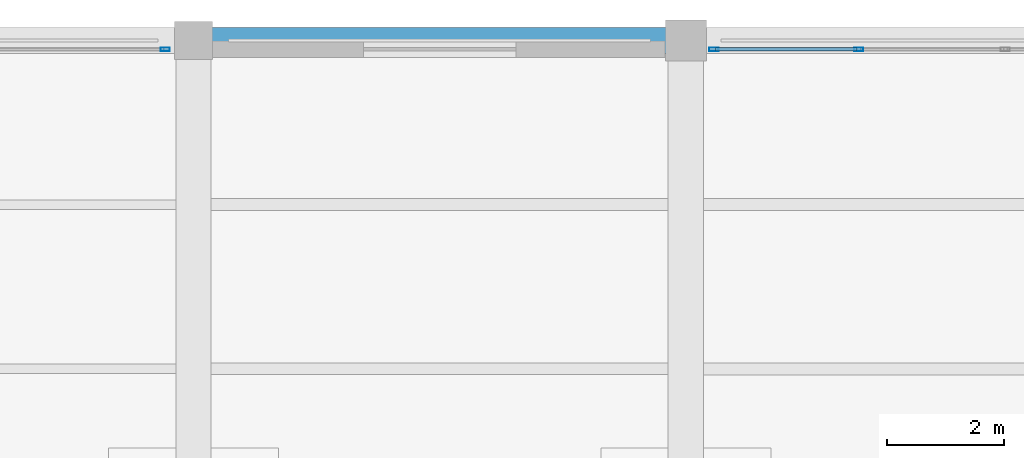
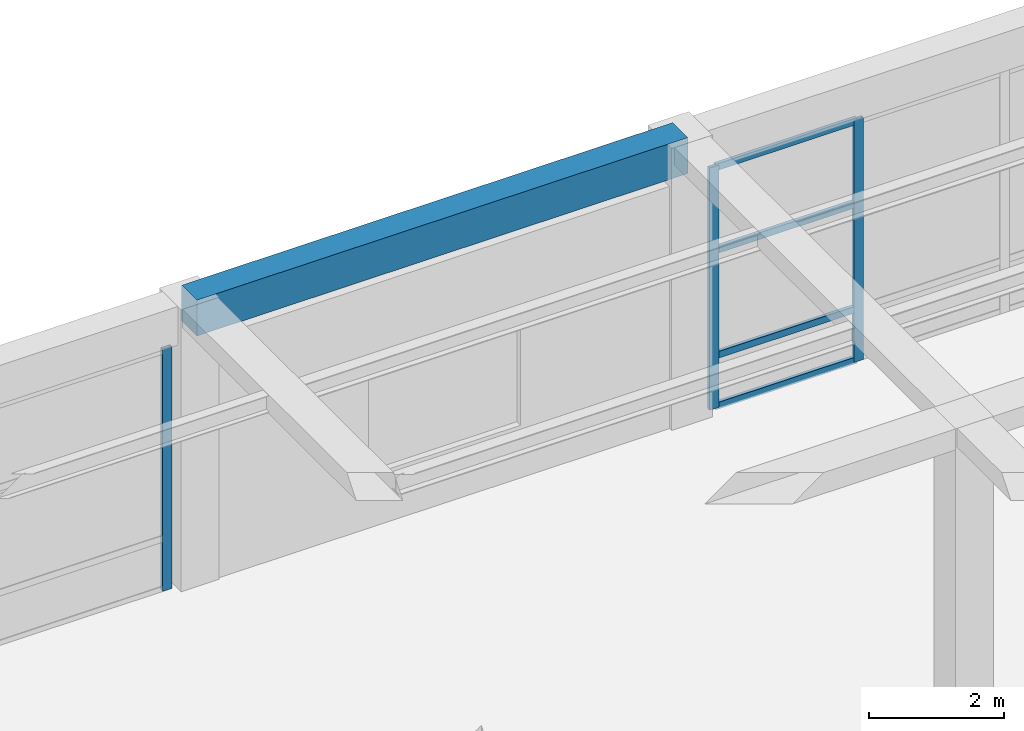
# One storey, part 50 of 96: 7 members, 1 beam, 2 elements without a shape of their own.
"""IFC4 building model written with IfcOpenShell, lengths in metres."""

from ifc_helpers import new_model, si_unit, direction, frame, origin, origin_2d, place, context, subcontext, project, spatial, rectangle, hollow_rectangle, extrude, material, material_profile, profile_set, type_object, element, aggregate, save


model = new_model("IFC4")

# Units and contexts
model_context = context("Model", 3, precision=1e-05, world=origin(), true_north=direction((0.0, 1.0)))
body_context = subcontext(model_context, "Body", "Model", "MODEL_VIEW")
ifc_project = project(units=[si_unit("LENGTHUNIT", "METRE"), si_unit("AREAUNIT", "SQUARE_METRE"), si_unit("VOLUMEUNIT", "CUBIC_METRE"), si_unit("PLANEANGLEUNIT", "RADIAN"), si_unit("MASSUNIT", "GRAM", prefix="KILO")], contexts=[model_context])

# Site, building, storey
site_placement = place(None, origin())
site = spatial("IfcSite", under=ifc_project, at=site_placement, CompositionType="ELEMENT")
building_placement = place(site_placement, origin())
building = spatial("IfcBuilding", under=site, at=building_placement, Name="Almacenes y Pasaje Nevantli", CompositionType="ELEMENT")
storey_placement = place(building_placement, frame((0.0, 0.0, 6.0)))
storey = spatial("IfcBuildingStorey", under=building, at=storey_placement, Name="L02", CompositionType="ELEMENT", Elevation=6.0)

# Beam
ifc_material_1 = material(Name="Concrete C35/45", Category="concrete")
ifc_material_profile_1 = material_profile(ifc_material_1, rectangle(XDim=0.449951171875, YDim=0.64990234375, at=origin_2d()), Name="RC-BM-450x650")
ifc_profile_set_1 = profile_set([ifc_material_profile_1], Name="Concrete C35/45")
beam_type = type_object("IfcBeamType", Name="BM-RC-450x650", PredefinedType="SPANDREL", material=ifc_profile_set_1)
beam_placement = place(storey_placement, frame((109.199951171875, 117.60009765625, 4.77490234375), z_axis=(1.0, 0.0, 0.0), x_axis=(0.0, 1.0, 0.0)))
element("IfcBeam", 1, at=beam_placement, inside=storey, type_object=beam_type, Name="L02 East-West Reinforced Concrete Beam #1959", PredefinedType="SPANDREL", context=body_context, shape_type="SweptSolid", body=[
    extrude(rectangle(XDim=0.449951171875, YDim=0.64990234375, at=origin_2d()), origin(), (0.0, 0.0, 1.0), 8.400146484375),
])

# Curtain wall, member
ifc_material_2 = material(Name="Thermally Broken Aluminium and Low-E Glass", Category="aluminium")
curtain_wall_type = type_object("IfcCurtainWallType", Name="CW-STF-BLVD", PredefinedType="USERDEFINED", material=ifc_material_2)
curtain_wall_1_placement = place(storey_placement, origin())
curtain_wall_1 = element("IfcCurtainWall", 2, at=curtain_wall_1_placement, inside=storey, type_object=curtain_wall_type, Name="L02 North Boulevard Retail Curtain Wall Bay 13", ObjectType="STOREFRONT GLAZING", PredefinedType="USERDEFINED")
ifc_material_3 = material(Name="Thermally Broken Anodized Aluminium", Category="aluminium")
ifc_material_profile_2 = material_profile(ifc_material_3, hollow_rectangle(XDim=0.06005859375, YDim=0.159912109375, WallThickness=0.00390625, at=origin_2d()), Name="ALU-MUL-60x160")
ifc_profile_set_2 = profile_set([ifc_material_profile_2], Name="Thermally Broken Anodized Aluminium")
member_type_1 = type_object("IfcMemberType", Name="CW-MUL-180", PredefinedType="MULLION", material=ifc_profile_set_2)
member_1_placement = place(storey_placement, frame((108.719970703125, 117.449951171875, 0.0), z_axis=(0.0, 0.0, 1.0), x_axis=(0.0, 1.0, 0.0)))
member_1 = element("IfcMember", 3, at=member_1_placement, type_object=member_type_1, Name="CW-L02-008 mullion 3", PredefinedType="MULLION", context=body_context, shape_type="SweptSolid", body=[
    extrude(hollow_rectangle(XDim=0.06005859375, YDim=0.159912109375, WallThickness=0.00390625, at=origin_2d()), origin(), (0.0, 0.0, 1.0), 4.3798828125),
])
aggregate(curtain_wall_1, [member_1])

# Curtain wall, members
curtain_wall_2_placement = place(storey_placement, origin())
curtain_wall_2 = element("IfcCurtainWall", 4, at=curtain_wall_2_placement, inside=storey, type_object=curtain_wall_type, Name="L02 North Boulevard Retail Curtain Wall Bay 15", ObjectType="STOREFRONT GLAZING", PredefinedType="USERDEFINED")
member_2_placement = place(storey_placement, frame((118.080078125, 117.449951171875, 0.0), z_axis=(0.0, 0.0, 1.0), x_axis=(0.0, 1.0, 0.0)))
member_2 = element("IfcMember", 5, at=member_2_placement, type_object=member_type_1, Name="CW-L02-009 mullion 1", PredefinedType="MULLION", context=body_context, shape_type="SweptSolid", body=[
    extrude(hollow_rectangle(XDim=0.06005859375, YDim=0.159912109375, WallThickness=0.00390625, at=origin_2d()), origin(), (0.0, 0.0, 1.0), 4.3798828125),
])
member_3_placement = place(storey_placement, frame((120.550048828125, 117.449951171875, 0.0), z_axis=(0.0, 0.0, 1.0), x_axis=(0.0, 1.0, 0.0)))
member_3 = element("IfcMember", 6, at=member_3_placement, type_object=member_type_1, Name="CW-L02-009 mullion 2", PredefinedType="MULLION", context=body_context, shape_type="SweptSolid", body=[
    extrude(hollow_rectangle(XDim=0.06005859375, YDim=0.159912109375, WallThickness=0.00390625, at=origin_2d()), origin(), (0.0, 0.0, 1.0), 4.3798828125),
])
ifc_material_4 = material(Name="Thermally Broken Anodized Aluminium", Category="aluminium")
ifc_material_profile_3 = material_profile(ifc_material_4, hollow_rectangle(XDim=0.06005859375, YDim=0.1201171875, WallThickness=0.00341796875, at=origin_2d()), Name="ALU-TRN-60x120")
ifc_profile_set_3 = profile_set([ifc_material_profile_3], Name="Thermally Broken Anodized Aluminium")
member_type_2 = type_object("IfcMemberType", Name="CW-TRN-130", PredefinedType="USERDEFINED", material=ifc_profile_set_3)
member_4_placement = place(storey_placement, frame((118.110107421875, 117.449951171875, 0.030029296875), z_axis=(1.0, 0.0, 0.0), x_axis=(0.0, 1.0, 0.0)))
member_4 = element("IfcMember", 7, at=member_4_placement, type_object=member_type_2, Name="CW-L02-009 transom 1.1", ObjectType="TRANSOM", PredefinedType="USERDEFINED", context=body_context, shape_type="SweptSolid", body=[
    extrude(hollow_rectangle(XDim=0.06005859375, YDim=0.1201171875, WallThickness=0.00341796875, at=origin_2d()), origin(), (0.0, 0.0, 1.0), 2.409912109375),
])
member_5_placement = place(storey_placement, frame((118.110107421875, 117.449951171875, 0.949951171875), z_axis=(1.0, 0.0, 0.0), x_axis=(0.0, 1.0, 0.0)))
member_5 = element("IfcMember", 8, at=member_5_placement, type_object=member_type_2, Name="CW-L02-009 transom 1.2", ObjectType="TRANSOM", PredefinedType="USERDEFINED", context=body_context, shape_type="SweptSolid", body=[
    extrude(hollow_rectangle(XDim=0.06005859375, YDim=0.1201171875, WallThickness=0.00341796875, at=origin_2d()), origin(), (0.0, 0.0, 1.0), 2.409912109375),
])
member_6_placement = place(storey_placement, frame((118.110107421875, 117.449951171875, 2.85009765625), z_axis=(1.0, 0.0, 0.0), x_axis=(0.0, 1.0, 0.0)))
member_6 = element("IfcMember", 9, at=member_6_placement, type_object=member_type_2, Name="CW-L02-009 transom 1.3", ObjectType="TRANSOM", PredefinedType="USERDEFINED", context=body_context, shape_type="SweptSolid", body=[
    extrude(hollow_rectangle(XDim=0.06005859375, YDim=0.1201171875, WallThickness=0.00341796875, at=origin_2d()), origin(), (0.0, 0.0, 1.0), 2.409912109375),
])
member_7_placement = place(storey_placement, frame((118.110107421875, 117.449951171875, 4.35009765625), z_axis=(1.0, 0.0, 0.0), x_axis=(0.0, 1.0, 0.0)))
member_7 = element("IfcMember", 10, at=member_7_placement, type_object=member_type_2, Name="CW-L02-009 transom 1.4", ObjectType="TRANSOM", PredefinedType="USERDEFINED", context=body_context, shape_type="SweptSolid", body=[
    extrude(hollow_rectangle(XDim=0.06005859375, YDim=0.1201171875, WallThickness=0.00341796875, at=origin_2d()), origin(), (0.0, 0.0, 1.0), 2.409912109375),
])
aggregate(curtain_wall_2, [member_2, member_3, member_4, member_5, member_6, member_7])

save(model, "model.ifc")
